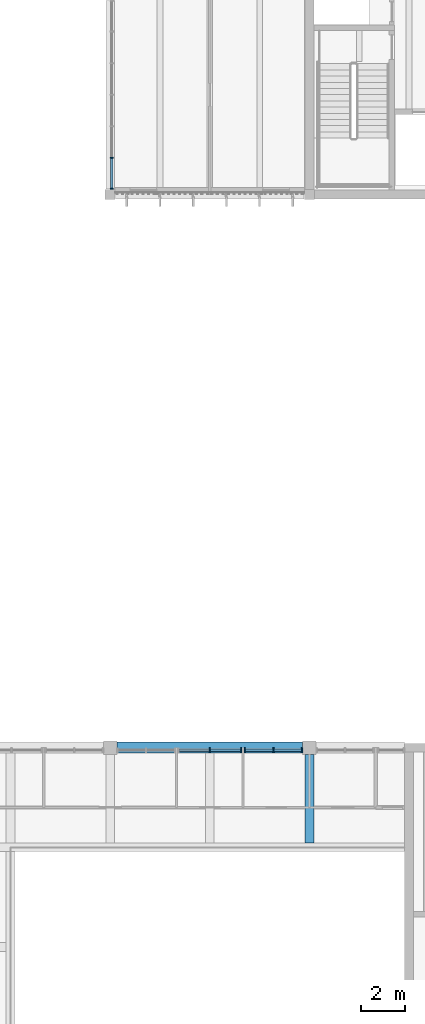
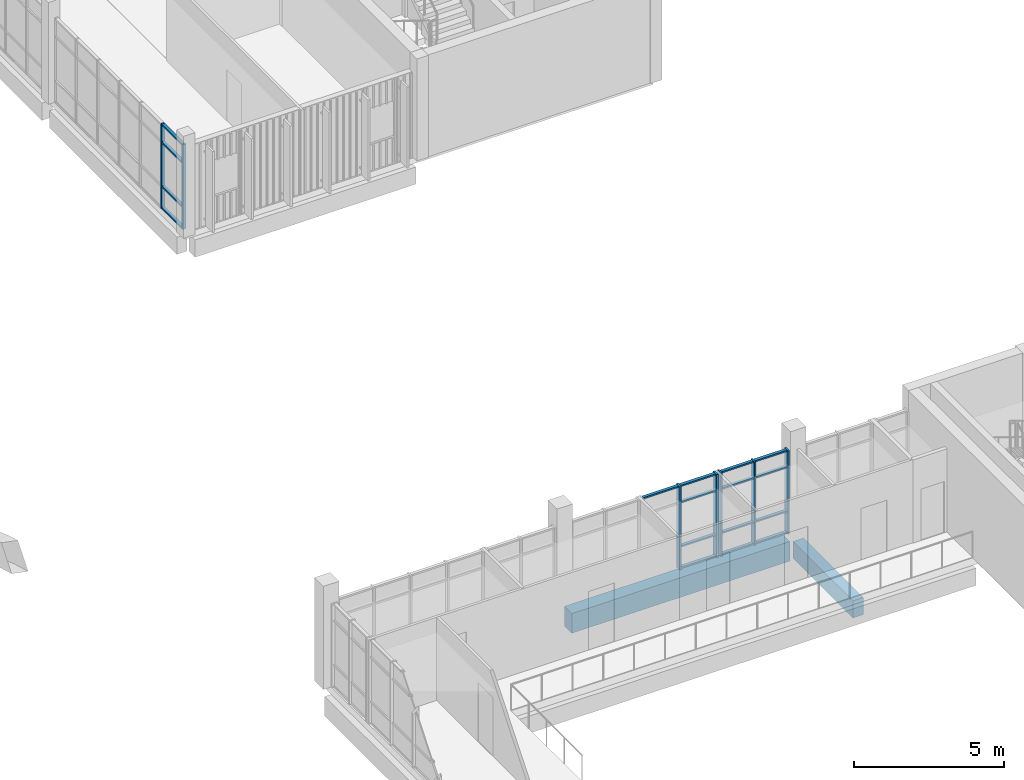
# One storey, part 10 of 88: 24 members, 2 beams, 3 elements without a shape of their own.
"""IFC4 building model written with IfcOpenShell, lengths in metres."""

from ifc_helpers import new_model, si_unit, direction, frame, origin, origin_2d, place, context, subcontext, project, spatial, rectangle, extrude, material, material_profile, profile_set, type_object, element, aggregate, save


model = new_model("IFC4")

# Units and contexts
model_context = context("Model", 3, precision=1e-05, world=origin(), true_north=direction((0.0, 1.0)))
body_context = subcontext(model_context, "Body", "Model", "MODEL_VIEW")
ifc_project = project(units=[si_unit("LENGTHUNIT", "METRE"), si_unit("AREAUNIT", "SQUARE_METRE"), si_unit("VOLUMEUNIT", "CUBIC_METRE"), si_unit("PLANEANGLEUNIT", "RADIAN"), si_unit("MASSUNIT", "GRAM", prefix="KILO")], contexts=[model_context])

# Site, building, storey
site_placement = place(None, origin())
site = spatial("IfcSite", under=ifc_project, at=site_placement, CompositionType="ELEMENT")
building_placement = place(site_placement, origin())
building = spatial("IfcBuilding", under=site, at=building_placement, Name="Merrow Basin Faculty of Sciences", CompositionType="ELEMENT")
storey_placement = place(building_placement, frame((0.0, 0.0, 9.0)))
storey = spatial("IfcBuildingStorey", under=building, at=storey_placement, Name="L02", CompositionType="ELEMENT", Elevation=9.0)

# Curtain wall, members
ifc_material_1 = material(Name="Aluminium alloy 6063", Category="aluminium")
curtain_wall_type_1 = type_object("IfcCurtainWallType", Name="Court curtain wall 140", PredefinedType="NOTDEFINED", material=ifc_material_1)
curtain_wall_1_placement = place(storey_placement, origin())
curtain_wall_1 = element("IfcCurtainWall", 1, at=curtain_wall_1_placement, inside=storey, type_object=curtain_wall_type_1, Name="Court curtain wall L02 1", PredefinedType="NOTDEFINED")
ifc_material_2 = material(Name="Aluminium alloy 6063", Category="aluminium")
ifc_material_profile_1 = material_profile(ifc_material_2, rectangle(XDim=0.139892578125, YDim=0.06005859375, at=origin_2d()))
ifc_profile_set_1 = profile_set([ifc_material_profile_1], Name="Aluminium alloy 6063")
member_type_1 = type_object("IfcMemberType", Name="Aluminium mullion 60x140", PredefinedType="MULLION", material=ifc_profile_set_1)
member_1_placement = place(storey_placement, frame((54.070068359375, 61.2548828125, 0.0), z_axis=(0.0, 0.0, 1.0), x_axis=(-1.0, 0.0, 0.0)))
member_1 = element("IfcMember", 2, at=member_1_placement, type_object=member_type_1, Name="CW8 mullion 1", PredefinedType="MULLION", context=body_context, shape_type="SweptSolid", body=[
    extrude(rectangle(XDim=0.139892578125, YDim=0.06005859375, at=origin_2d()), origin(), (0.0, 0.0, 1.0), 3.449951171875),
])
member_2_placement = place(storey_placement, frame((54.070068359375, 62.64990234375, 0.0), z_axis=(0.0, 0.0, 1.0), x_axis=(-1.0, 0.0, 0.0)))
member_2 = element("IfcMember", 3, at=member_2_placement, type_object=member_type_1, Name="CW8 mullion 2", PredefinedType="MULLION", context=body_context, shape_type="SweptSolid", body=[
    extrude(rectangle(XDim=0.139892578125, YDim=0.06005859375, at=origin_2d()), origin(), (0.0, 0.0, 1.0), 3.449951171875),
])

ifc_material_3 = material(Name="Aluminium alloy 6063", Category="aluminium")
curtain_wall_type_2 = type_object("IfcCurtainWallType", Name="Atrium unitised curtain wall 240", PredefinedType="NOTDEFINED", material=ifc_material_3)
curtain_wall_2_placement = place(storey_placement, origin())
curtain_wall_2 = element("IfcCurtainWall", 4, at=curtain_wall_2_placement, inside=storey, type_object=curtain_wall_type_2, Name="N curtain wall L02 4", PredefinedType="NOTDEFINED")
ifc_material_4 = material(Name="Aluminium alloy 6063", Category="aluminium")
ifc_material_profile_2 = material_profile(ifc_material_4, rectangle(XDim=0.239990234375, YDim=0.06005859375, at=origin_2d()))
ifc_profile_set_2 = profile_set([ifc_material_profile_2], Name="Aluminium alloy 6063")
member_type_2 = type_object("IfcMemberType", Name="Aluminium mullion 60x240", PredefinedType="MULLION", material=ifc_profile_set_2)
member_3_placement = place(storey_placement, frame((58.5, 35.8798828125, 0.0), z_axis=(0.0, 0.0, 1.0), x_axis=(0.0, 1.0, 0.0)))
member_3 = element("IfcMember", 5, at=member_3_placement, type_object=member_type_2, Name="CW5 mullion 2", PredefinedType="MULLION", context=body_context, shape_type="SweptSolid", body=[
    extrude(rectangle(XDim=0.239990234375, YDim=0.06005859375, at=origin_2d()), origin(), (0.0, 0.0, 1.0), 3.39990234375),
])
member_4_placement = place(storey_placement, frame((59.919921875, 35.8798828125, 0.0), z_axis=(0.0, 0.0, 1.0), x_axis=(0.0, 1.0, 0.0)))
member_4 = element("IfcMember", 6, at=member_4_placement, type_object=member_type_2, Name="CW5 mullion 3", PredefinedType="MULLION", context=body_context, shape_type="SweptSolid", body=[
    extrude(rectangle(XDim=0.239990234375, YDim=0.06005859375, at=origin_2d()), origin(), (0.0, 0.0, 1.0), 3.39990234375),
])

curtain_wall_3_placement = place(storey_placement, origin())
curtain_wall_3 = element("IfcCurtainWall", 7, at=curtain_wall_3_placement, inside=storey, type_object=curtain_wall_type_2, Name="N curtain wall L02 5", PredefinedType="NOTDEFINED")
member_5_placement = place(storey_placement, frame((60.080078125, 35.8798828125, 0.0), z_axis=(0.0, 0.0, 1.0), x_axis=(0.0, 1.0, 0.0)))
member_5 = element("IfcMember", 8, at=member_5_placement, type_object=member_type_2, Name="CW5 mullion 1", PredefinedType="MULLION", context=body_context, shape_type="SweptSolid", body=[
    extrude(rectangle(XDim=0.239990234375, YDim=0.06005859375, at=origin_2d()), origin(), (0.0, 0.0, 1.0), 3.39990234375),
])
member_6_placement = place(storey_placement, frame((61.375, 35.8798828125, 0.0), z_axis=(0.0, 0.0, 1.0), x_axis=(0.0, 1.0, 0.0)))
member_6 = element("IfcMember", 9, at=member_6_placement, type_object=member_type_2, Name="CW5 mullion 2", PredefinedType="MULLION", context=body_context, shape_type="SweptSolid", body=[
    extrude(rectangle(XDim=0.239990234375, YDim=0.06005859375, at=origin_2d()), origin(), (0.0, 0.0, 1.0), 3.39990234375),
])
member_7_placement = place(storey_placement, frame((62.669921875, 35.8798828125, 0.0), z_axis=(0.0, 0.0, 1.0), x_axis=(0.0, 1.0, 0.0)))
member_7 = element("IfcMember", 10, at=member_7_placement, type_object=member_type_2, Name="CW5 mullion 3", PredefinedType="MULLION", context=body_context, shape_type="SweptSolid", body=[
    extrude(rectangle(XDim=0.239990234375, YDim=0.06005859375, at=origin_2d()), origin(), (0.0, 0.0, 1.0), 3.39990234375),
])

# Member
ifc_material_5 = material(Name="Aluminium alloy 6063", Category="aluminium")
ifc_material_profile_3 = material_profile(ifc_material_5, rectangle(XDim=0.1201171875, YDim=0.06005859375, at=origin_2d()))
ifc_profile_set_3 = profile_set([ifc_material_profile_3], Name="Aluminium alloy 6063")
member_type_3 = type_object("IfcMemberType", Name="Aluminium transom 60x120", PredefinedType="USERDEFINED", material=ifc_profile_set_3)
member_8_placement = place(storey_placement, frame((57.110107421875, 35.8798828125, 3.3701171875), z_axis=(1.0, 0.0, 0.0), x_axis=(0.0, 1.0, 0.0)))
member_8 = element("IfcMember", 11, at=member_8_placement, type_object=member_type_3, Name="CW5 transom 1.4", ObjectType="TRANSOM", PredefinedType="USERDEFINED", context=body_context, shape_type="SweptSolid", body=[
    extrude(rectangle(XDim=0.1201171875, YDim=0.06005859375, at=origin_2d()), origin(), (0.0, 0.0, 1.0), 1.35986328125),
])

member_9_placement = place(storey_placement, frame((58.530029296875, 35.8798828125, 0.030029296875), z_axis=(1.0, 0.0, 0.0), x_axis=(0.0, 1.0, 0.0)))
member_9 = element("IfcMember", 12, at=member_9_placement, type_object=member_type_3, Name="CW5 transom 2.1", ObjectType="TRANSOM", PredefinedType="USERDEFINED", context=body_context, shape_type="SweptSolid", body=[
    extrude(rectangle(XDim=0.1201171875, YDim=0.06005859375, at=origin_2d()), origin(), (0.0, 0.0, 1.0), 1.35986328125),
])

member_10_placement = place(storey_placement, frame((58.530029296875, 35.8798828125, 0.89990234375), z_axis=(1.0, 0.0, 0.0), x_axis=(0.0, 1.0, 0.0)))
member_10 = element("IfcMember", 13, at=member_10_placement, type_object=member_type_3, Name="CW5 transom 2.2", ObjectType="TRANSOM", PredefinedType="USERDEFINED", context=body_context, shape_type="SweptSolid", body=[
    extrude(rectangle(XDim=0.1201171875, YDim=0.06005859375, at=origin_2d()), origin(), (0.0, 0.0, 1.0), 1.35986328125),
])

member_11_placement = place(storey_placement, frame((58.530029296875, 35.8798828125, 2.699951171875), z_axis=(1.0, 0.0, 0.0), x_axis=(0.0, 1.0, 0.0)))
member_11 = element("IfcMember", 14, at=member_11_placement, type_object=member_type_3, Name="CW5 transom 2.3", ObjectType="TRANSOM", PredefinedType="USERDEFINED", context=body_context, shape_type="SweptSolid", body=[
    extrude(rectangle(XDim=0.1201171875, YDim=0.06005859375, at=origin_2d()), origin(), (0.0, 0.0, 1.0), 1.35986328125),
])

member_12_placement = place(storey_placement, frame((58.530029296875, 35.8798828125, 3.3701171875), z_axis=(1.0, 0.0, 0.0), x_axis=(0.0, 1.0, 0.0)))
member_12 = element("IfcMember", 15, at=member_12_placement, type_object=member_type_3, Name="CW5 transom 2.4", ObjectType="TRANSOM", PredefinedType="USERDEFINED", context=body_context, shape_type="SweptSolid", body=[
    extrude(rectangle(XDim=0.1201171875, YDim=0.06005859375, at=origin_2d()), origin(), (0.0, 0.0, 1.0), 1.35986328125),
])

aggregate(curtain_wall_2, [member_3, member_4, member_8, member_9, member_10, member_11, member_12])

member_13_placement = place(storey_placement, frame((60.110107421875, 35.8798828125, 0.030029296875), z_axis=(1.0, 0.0, 0.0), x_axis=(0.0, 1.0, 0.0)))
member_13 = element("IfcMember", 16, at=member_13_placement, type_object=member_type_3, Name="CW5 transom 1.1", ObjectType="TRANSOM", PredefinedType="USERDEFINED", context=body_context, shape_type="SweptSolid", body=[
    extrude(rectangle(XDim=0.1201171875, YDim=0.06005859375, at=origin_2d()), origin(), (0.0, 0.0, 1.0), 1.23486328125),
])

member_14_placement = place(storey_placement, frame((60.110107421875, 35.8798828125, 0.89990234375), z_axis=(1.0, 0.0, 0.0), x_axis=(0.0, 1.0, 0.0)))
member_14 = element("IfcMember", 17, at=member_14_placement, type_object=member_type_3, Name="CW5 transom 1.2", ObjectType="TRANSOM", PredefinedType="USERDEFINED", context=body_context, shape_type="SweptSolid", body=[
    extrude(rectangle(XDim=0.1201171875, YDim=0.06005859375, at=origin_2d()), origin(), (0.0, 0.0, 1.0), 1.23486328125),
])

member_15_placement = place(storey_placement, frame((60.110107421875, 35.8798828125, 2.699951171875), z_axis=(1.0, 0.0, 0.0), x_axis=(0.0, 1.0, 0.0)))
member_15 = element("IfcMember", 18, at=member_15_placement, type_object=member_type_3, Name="CW5 transom 1.3", ObjectType="TRANSOM", PredefinedType="USERDEFINED", context=body_context, shape_type="SweptSolid", body=[
    extrude(rectangle(XDim=0.1201171875, YDim=0.06005859375, at=origin_2d()), origin(), (0.0, 0.0, 1.0), 1.23486328125),
])

member_16_placement = place(storey_placement, frame((60.110107421875, 35.8798828125, 3.3701171875), z_axis=(1.0, 0.0, 0.0), x_axis=(0.0, 1.0, 0.0)))
member_16 = element("IfcMember", 19, at=member_16_placement, type_object=member_type_3, Name="CW5 transom 1.4", ObjectType="TRANSOM", PredefinedType="USERDEFINED", context=body_context, shape_type="SweptSolid", body=[
    extrude(rectangle(XDim=0.1201171875, YDim=0.06005859375, at=origin_2d()), origin(), (0.0, 0.0, 1.0), 1.23486328125),
])

member_17_placement = place(storey_placement, frame((61.405029296875, 35.8798828125, 0.030029296875), z_axis=(1.0, 0.0, 0.0), x_axis=(0.0, 1.0, 0.0)))
member_17 = element("IfcMember", 20, at=member_17_placement, type_object=member_type_3, Name="CW5 transom 2.1", ObjectType="TRANSOM", PredefinedType="USERDEFINED", context=body_context, shape_type="SweptSolid", body=[
    extrude(rectangle(XDim=0.1201171875, YDim=0.06005859375, at=origin_2d()), origin(), (0.0, 0.0, 1.0), 1.23486328125),
])

member_18_placement = place(storey_placement, frame((61.405029296875, 35.8798828125, 0.89990234375), z_axis=(1.0, 0.0, 0.0), x_axis=(0.0, 1.0, 0.0)))
member_18 = element("IfcMember", 21, at=member_18_placement, type_object=member_type_3, Name="CW5 transom 2.2", ObjectType="TRANSOM", PredefinedType="USERDEFINED", context=body_context, shape_type="SweptSolid", body=[
    extrude(rectangle(XDim=0.1201171875, YDim=0.06005859375, at=origin_2d()), origin(), (0.0, 0.0, 1.0), 1.23486328125),
])

member_19_placement = place(storey_placement, frame((61.405029296875, 35.8798828125, 2.699951171875), z_axis=(1.0, 0.0, 0.0), x_axis=(0.0, 1.0, 0.0)))
member_19 = element("IfcMember", 22, at=member_19_placement, type_object=member_type_3, Name="CW5 transom 2.3", ObjectType="TRANSOM", PredefinedType="USERDEFINED", context=body_context, shape_type="SweptSolid", body=[
    extrude(rectangle(XDim=0.1201171875, YDim=0.06005859375, at=origin_2d()), origin(), (0.0, 0.0, 1.0), 1.23486328125),
])

member_20_placement = place(storey_placement, frame((61.405029296875, 35.8798828125, 3.3701171875), z_axis=(1.0, 0.0, 0.0), x_axis=(0.0, 1.0, 0.0)))
member_20 = element("IfcMember", 23, at=member_20_placement, type_object=member_type_3, Name="CW5 transom 2.4", ObjectType="TRANSOM", PredefinedType="USERDEFINED", context=body_context, shape_type="SweptSolid", body=[
    extrude(rectangle(XDim=0.1201171875, YDim=0.06005859375, at=origin_2d()), origin(), (0.0, 0.0, 1.0), 1.23486328125),
])

aggregate(curtain_wall_3, [member_5, member_6, member_7, member_13, member_14, member_15, member_16, member_17, member_18, member_19, member_20])

member_21_placement = place(storey_placement, frame((54.070068359375, 61.284912109375, 0.030029296875), z_axis=(0.0, 1.0, 0.0), x_axis=(-1.0, 0.0, 0.0)))
member_21 = element("IfcMember", 24, at=member_21_placement, type_object=member_type_3, Name="CW8 transom 1.1", ObjectType="TRANSOM", PredefinedType="USERDEFINED", context=body_context, shape_type="SweptSolid", body=[
    extrude(rectangle(XDim=0.1201171875, YDim=0.06005859375, at=origin_2d()), origin(), (0.0, 0.0, 1.0), 1.335205078125),
])

member_22_placement = place(storey_placement, frame((54.070068359375, 61.284912109375, 0.89990234375), z_axis=(0.0, 1.0, 0.0), x_axis=(-1.0, 0.0, 0.0)))
member_22 = element("IfcMember", 25, at=member_22_placement, type_object=member_type_3, Name="CW8 transom 1.2", ObjectType="TRANSOM", PredefinedType="USERDEFINED", context=body_context, shape_type="SweptSolid", body=[
    extrude(rectangle(XDim=0.1201171875, YDim=0.06005859375, at=origin_2d()), origin(), (0.0, 0.0, 1.0), 1.335205078125),
])

member_23_placement = place(storey_placement, frame((54.070068359375, 61.284912109375, 2.699951171875), z_axis=(0.0, 1.0, 0.0), x_axis=(-1.0, 0.0, 0.0)))
member_23 = element("IfcMember", 26, at=member_23_placement, type_object=member_type_3, Name="CW8 transom 1.3", ObjectType="TRANSOM", PredefinedType="USERDEFINED", context=body_context, shape_type="SweptSolid", body=[
    extrude(rectangle(XDim=0.1201171875, YDim=0.06005859375, at=origin_2d()), origin(), (0.0, 0.0, 1.0), 1.335205078125),
])

member_24_placement = place(storey_placement, frame((54.070068359375, 61.284912109375, 3.419921875), z_axis=(0.0, 1.0, 0.0), x_axis=(-1.0, 0.0, 0.0)))
member_24 = element("IfcMember", 27, at=member_24_placement, type_object=member_type_3, Name="CW8 transom 1.4", ObjectType="TRANSOM", PredefinedType="USERDEFINED", context=body_context, shape_type="SweptSolid", body=[
    extrude(rectangle(XDim=0.1201171875, YDim=0.06005859375, at=origin_2d()), origin(), (0.0, 0.0, 1.0), 1.335205078125),
])

aggregate(curtain_wall_1, [member_1, member_2, member_21, member_22, member_23, member_24])

# Beams
ifc_material_6 = material(Name="Concrete C40/50", Category="concrete")
ifc_material_profile_4 = material_profile(ifc_material_6, rectangle(XDim=0.5, YDim=0.800048828125, at=origin_2d()))
ifc_profile_set_4 = profile_set([ifc_material_profile_4], Name="Concrete C40/50")
beam_type_1 = type_object("IfcBeamType", Name="Beam RC500x800 C40/50", PredefinedType="BEAM", material=ifc_profile_set_4)
beam_1_placement = place(storey_placement, frame((54.300048828125, 36.0, -0.699951171875), z_axis=(1.0, 0.0, 0.0), x_axis=(0.0, 1.0, 0.0)))
element("IfcBeam", 28, at=beam_1_placement, inside=storey, type_object=beam_type_1, Name="B4 L02 005", PredefinedType="BEAM", context=body_context, shape_type="SweptSolid", body=[
    extrude(rectangle(XDim=0.5, YDim=0.800048828125, at=origin_2d()), origin(), (0.0, 0.0, 1.0), 8.39990234375),
])
ifc_material_7 = material(Name="Concrete C40/50", Category="concrete")
ifc_material_profile_5 = material_profile(ifc_material_7, rectangle(XDim=0.39990234375, YDim=0.699951171875, at=origin_2d()))
ifc_profile_set_5 = profile_set([ifc_material_profile_5], Name="Concrete C40/50")
beam_type_2 = type_object("IfcBeamType", Name="Gallery edge beam RC400x700 C40/50", PredefinedType="BEAM", material=ifc_profile_set_5)
beam_2_placement = place(storey_placement, frame((63.0, 31.699951171875, -0.64990234375), z_axis=(0.0, 1.0, 0.0), x_axis=(-1.0, 0.0, 0.0)))
element("IfcBeam", 29, at=beam_2_placement, inside=storey, type_object=beam_type_2, Name="GB1 L02 024", PredefinedType="BEAM", context=body_context, shape_type="SweptSolid", body=[
    extrude(rectangle(XDim=0.39990234375, YDim=0.699951171875, at=origin_2d()), origin(), (0.0, 0.0, 1.0), 4.0),
])

save(model, "model.ifc")
